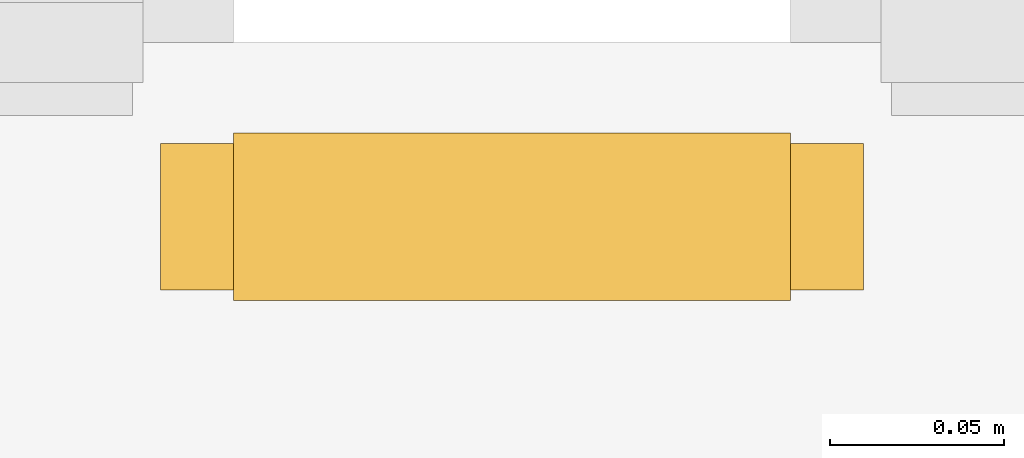
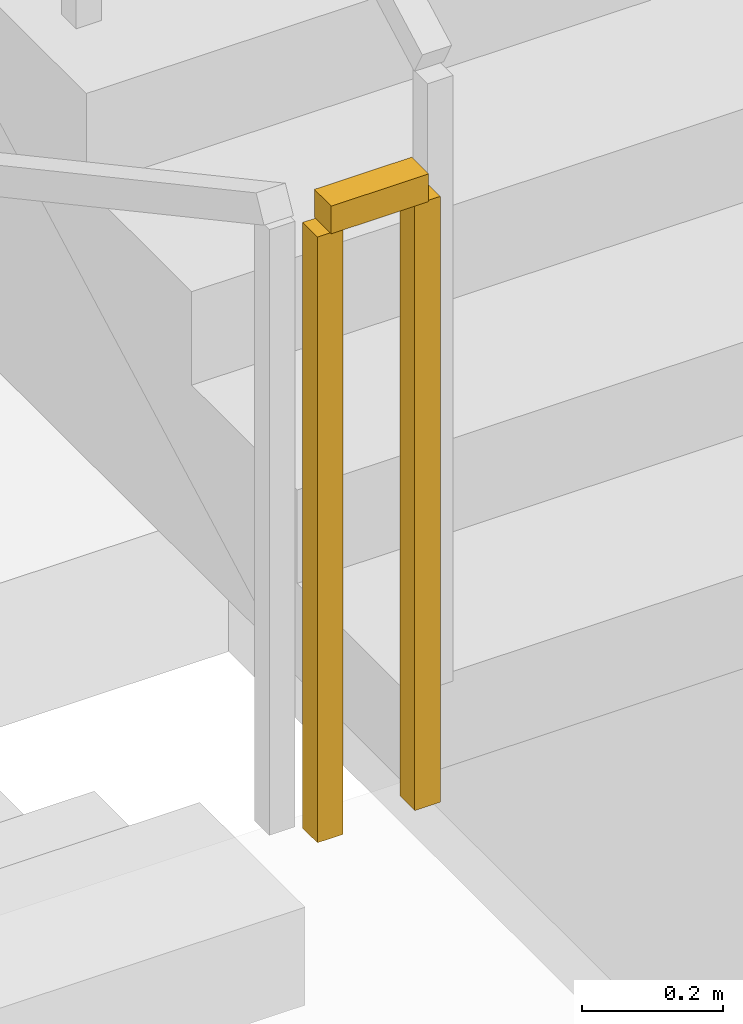
# One storey, part 10 of 14: 1 railing.
"""IFC4 building model written with IfcOpenShell, lengths in metres."""

import ifcopenshell
import ifcopenshell.guid

model = None  # the IFC model being written
_history = None  # IfcOwnerHistory: only IFC2X3 demands one
_inside = {}  # id of a spatial element -> (the spatial element, [elements in it])
_under = {}  # id of a project, library or spatial element -> (it, [spatial elements below it])
_declared = {}  # id of a project -> (the project, [libraries it declares])
_typed = {}  # id of a type object -> (the type object, [elements of that type])
_made_of = {}  # id of a material, layer set ... -> (it, [elements and type objects made of it])


def new_model(schema):
    """Start an empty IFC model of exactly this schema.

    Asked for "IFC4X3", IfcOpenShell would pick the latest addendum, in which some entities
    have other attributes; the version numbers below select the first issue.
    IFC2X3 requires an IfcOwnerHistory on every rooted entity: one is made here for all.
    """
    global model, _history
    if schema == "IFC4X3":
        model = ifcopenshell.file(schema_version=(4, 3, 0, 0))
    else:
        model = ifcopenshell.file(schema=schema)
    _inside.clear()
    _under.clear()
    _declared.clear()
    _typed.clear()
    _made_of.clear()
    _history = None
    if model.schema == "IFC2X3":
        org = make("IfcOrganization", Name="unknown")
        user = make(
            "IfcPersonAndOrganization",
            ThePerson=make("IfcPerson", FamilyName="unknown"),
            TheOrganization=org,
        )
        app = make(
            "IfcApplication",
            ApplicationDeveloper=org,
            Version="unknown",
            ApplicationFullName="unknown",
            ApplicationIdentifier="unknown",
        )
        _history = make(
            "IfcOwnerHistory",
            OwningUser=user,
            OwningApplication=app,
            ChangeAction="ADDED",
            CreationDate=0,
        )
    return model


def make(cls, **values):
    """One entity of the class cls with the attributes given. An attribute that is None is left unset."""
    return model.create_entity(
        cls, **{name: value for name, value in values.items() if value is not None}
    )


def rooted(cls, **values):
    """An entity with a GlobalId (a new one), such as an element, a storey or a relation."""
    return make(cls, GlobalId=ifcopenshell.guid.new(), OwnerHistory=_history, **values)


def si_unit(unit_type, name, prefix=None):
    """IfcSIUnit, for example si_unit("LENGTHUNIT", "METRE", prefix="MILLI")."""
    return make("IfcSIUnit", UnitType=unit_type, Prefix=prefix, Name=name)


def assignment(units):
    """IfcUnitAssignment: the units of a project."""
    return None if units is None else make("IfcUnitAssignment", Units=units)


def point(xyz):
    """IfcCartesianPoint."""
    return None if xyz is None else make("IfcCartesianPoint", Coordinates=xyz)


def direction(xyz):
    """IfcDirection."""
    return None if xyz is None else make("IfcDirection", DirectionRatios=xyz)


def frame(location, z_axis=None, x_axis=None):
    """IfcAxis2Placement3D, a coordinate frame: its origin and axes. An axis left out is left unset."""
    return make(
        "IfcAxis2Placement3D",
        Location=point(location),
        Axis=direction(z_axis),
        RefDirection=direction(x_axis),
    )


def frame_2d(location, x_axis=None):
    """IfcAxis2Placement2D, a coordinate frame in the plane: its origin and x axis."""
    return make(
        "IfcAxis2Placement2D", Location=point(location), RefDirection=direction(x_axis)
    )


def origin():
    """The frame at (0, 0, 0) with its axes left unset."""
    return frame((0.0, 0.0, 0.0))


def origin_2d():
    """The frame at (0, 0) in the plane with its x axis left unset."""
    return frame_2d((0.0, 0.0))


def place(relative_to, where):
    """IfcLocalPlacement: puts the frame where relative to a parent placement (None: the world)."""
    return make(
        "IfcLocalPlacement", PlacementRelTo=relative_to, RelativePlacement=where
    )


def context(
    kind, dimensions, precision=None, world=None, true_north=None, identifier=None
):
    """IfcGeometricRepresentationContext, for example the 3D "Model" context."""
    return make(
        "IfcGeometricRepresentationContext",
        ContextIdentifier=identifier,
        ContextType=kind,
        CoordinateSpaceDimension=dimensions,
        Precision=precision,
        WorldCoordinateSystem=world,
        TrueNorth=true_north,
    )


def subcontext(parent, identifier, kind, view, scale=None):
    """IfcGeometricRepresentationSubContext, for example "Body" below "Model"."""
    return make(
        "IfcGeometricRepresentationSubContext",
        ContextIdentifier=identifier,
        ContextType=kind,
        ParentContext=parent,
        TargetScale=scale,
        TargetView=view,
    )


def project(units=None, contexts=None):
    """IfcProject with its units and contexts."""
    return rooted(
        "IfcProject",
        Name="project",
        RepresentationContexts=contexts,
        UnitsInContext=assignment(units),
    )


def spatial(cls, under=None, at=None, **own):
    """A site, building, storey or space (cls), placed at a placement, below another one or the project."""
    s = rooted(cls, ObjectPlacement=at, **own)
    if under is not None:
        _under.setdefault(under.id(), (under, []))[1].append(s)
    return s


def profile(cls, at=None, kind="AREA", **sizes):
    """A parametric profile (cls). Its sizes go by their IFC names, for example OverallWidth=200.0."""
    return make(cls, ProfileType=kind, Position=at, **sizes)


def rectangle(**sizes):
    """IfcRectangleProfileDef."""
    return profile("IfcRectangleProfileDef", **sizes)


def extrude(swept, where, along, depth):
    """IfcExtrudedAreaSolid: the profile swept, set in the frame where, extruded along a direction by depth."""
    return make(
        "IfcExtrudedAreaSolid",
        SweptArea=swept,
        Position=where,
        ExtrudedDirection=direction(along),
        Depth=depth,
    )


def shape(context_of_items, identifier, shape_type, items):
    """IfcShapeRepresentation: the items that make up one representation, for example the "Body"."""
    return make(
        "IfcShapeRepresentation",
        ContextOfItems=context_of_items,
        RepresentationIdentifier=identifier,
        RepresentationType=shape_type,
        Items=items,
    )


def material(Name=None, Category=None):
    """IfcMaterial."""
    return make("IfcMaterial", Name=Name, Category=Category)


def made_of(thing, what):
    """Note that an element or type object is made of a material, layer set ...; save() writes the relation."""
    if what is not None:
        _made_of.setdefault(what.id(), (what, []))[1].append(thing)
    return thing


def type_object(cls, material=None, **own):
    """A type object (cls), such as IfcWallType, which elements share."""
    return made_of(rooted(cls, **own), material)


def element(
    cls,
    number,
    at=None,
    inside=None,
    cuts=None,
    type_object=None,
    material=None,
    context=None,
    identifier="Body",
    shape_type=None,
    held_by="IfcProductDefinitionShape",
    body=None,
    shapes=None,
    **own,
):
    """One element of the class cls, such as IfcWall. Its Tag is "e" and its number.

    at: its placement. inside: the storey or other place that contains it. cuts: it is an
    opening in that element (IfcRelVoidsElement). A single representation is given by context,
    identifier, shape_type and body (its items); several are given by shapes. held_by: the class
    of the entity that holds the representations. save() writes the other relations.
    """
    e = rooted(cls, Tag="e%d" % number, ObjectPlacement=at, **own)
    if body is not None:
        shapes = [shape(context, identifier, shape_type, body)]
    if shapes is not None:
        e.Representation = make(held_by, Representations=shapes)
    if inside is not None:
        _inside.setdefault(inside.id(), (inside, []))[1].append(e)
    if cuts is not None:
        rooted(
            "IfcRelVoidsElement", RelatingBuildingElement=cuts, RelatedOpeningElement=e
        )
    if type_object is not None:
        _typed.setdefault(type_object.id(), (type_object, []))[1].append(e)
    return made_of(e, material)


def aggregate(whole, parts):
    """IfcRelAggregates: a whole, such as a stair, and the parts it consists of."""
    return rooted("IfcRelAggregates", RelatingObject=whole, RelatedObjects=parts)


def save(model, path):
    """Write the relations noted so far, then the file.

    IfcRelAggregates (storeys below a building ...), IfcRelContainedInSpatialStructure (elements
    in a storey), IfcRelDefinesByType, IfcRelAssociatesMaterial and IfcRelDeclares: one each for
    every whole, place, type object, material and project.
    """
    for whole, parts in _under.values():
        aggregate(whole, parts)
    for where, things in _inside.values():
        rooted(
            "IfcRelContainedInSpatialStructure",
            RelatedElements=things,
            RelatingStructure=where,
        )
    for kind, things in _typed.values():
        rooted("IfcRelDefinesByType", RelatedObjects=things, RelatingType=kind)
    for what, things in _made_of.values():
        rooted("IfcRelAssociatesMaterial", RelatedObjects=things, RelatingMaterial=what)
    for by, libraries in _declared.values():
        rooted("IfcRelDeclares", RelatingContext=by, RelatedDefinitions=libraries)
    model.write(path)


model = new_model("IFC4")

# Units and contexts
model_context = context("Model", 3, precision=1e-05, world=origin(), true_north=direction((0.0, 1.0)))
body_context = subcontext(model_context, "Body", "Model", "MODEL_VIEW")
ifc_project = project(units=[si_unit("LENGTHUNIT", "METRE"), si_unit("AREAUNIT", "SQUARE_METRE"), si_unit("VOLUMEUNIT", "CUBIC_METRE"), si_unit("PLANEANGLEUNIT", "RADIAN"), si_unit("MASSUNIT", "GRAM", prefix="KILO")], contexts=[model_context])

# Site, building, storey
site_placement = place(None, origin())
site = spatial("IfcSite", under=ifc_project, at=site_placement, CompositionType="ELEMENT")
building_placement = place(site_placement, origin())
building = spatial("IfcBuilding", under=site, at=building_placement, Name="Zulmaris Gate Convention Tower", CompositionType="ELEMENT")
storey_placement = place(building_placement, frame((0.0, 0.0, 64.329833984375)))
storey = spatial("IfcBuildingStorey", under=building, at=storey_placement, Name="L15", CompositionType="ELEMENT", Elevation=64.329833984375)

# Railing
ifc_material = material(Name="Painted Galvanised Steel", Category="steel")
railing_type = type_object("IfcRailingType", Name="RL-STG-1150", PredefinedType="GUARDRAIL", material=ifc_material)
railing_placement = place(storey_placement, frame((-13.219970703125, -5.050048828125, 1.784912109375)))
element("IfcRailing", 1, at=railing_placement, inside=storey, type_object=railing_type, Name="L15 ST-1 stair guard 2", PredefinedType="GUARDRAIL", context=body_context, shape_type="SweptSolid", body=[
    extrude(rectangle(XDim=0.048095703125, YDim=0.048095703125, at=origin_2d()), frame((0.0, 0.0, 1.076171875), z_axis=(1.0, 0.0, 0.0), x_axis=(0.0, 1.0, 0.0)), (0.0, 0.0, 1.0), 0.159912109375),
    extrude(rectangle(XDim=0.0419921875, YDim=0.0419921875, at=origin_2d()), origin(), (0.0, 0.0, 1.0), 1.052001953125),
    extrude(rectangle(XDim=0.0419921875, YDim=0.0419921875, at=origin_2d()), frame((0.159912109375, 0.0, 0.0)), (0.0, 0.0, 1.0), 1.052001953125),
])

save(model, "model.ifc")
